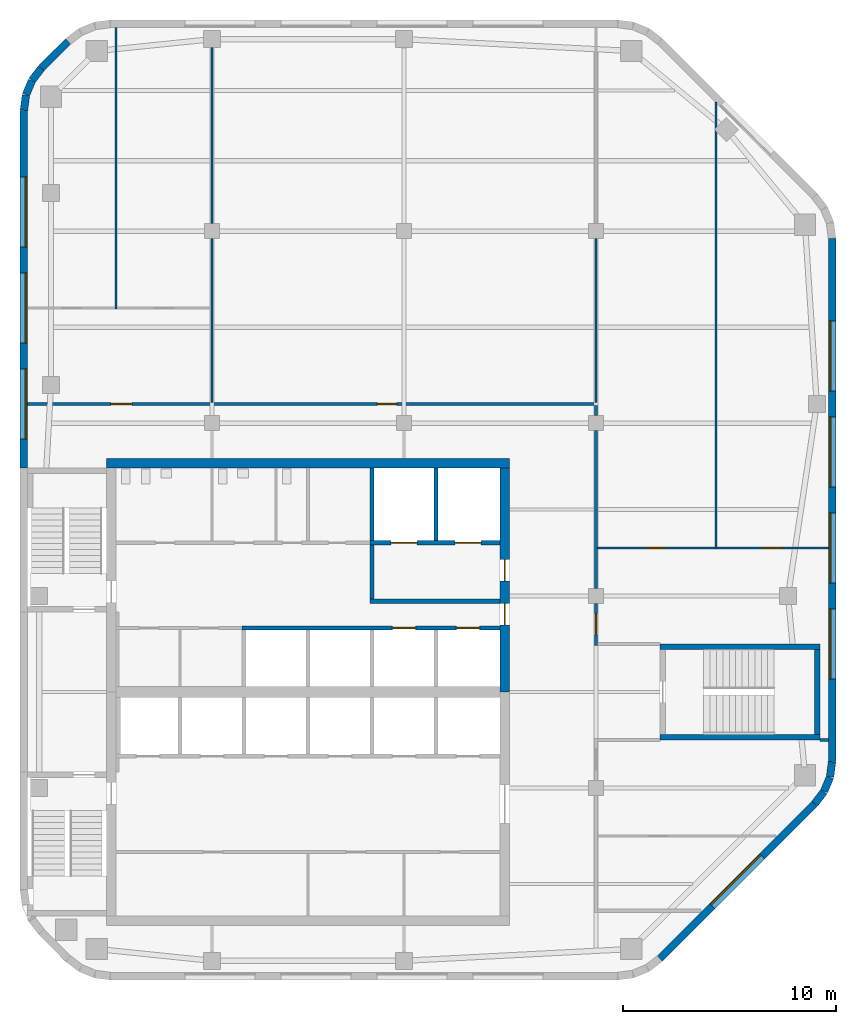
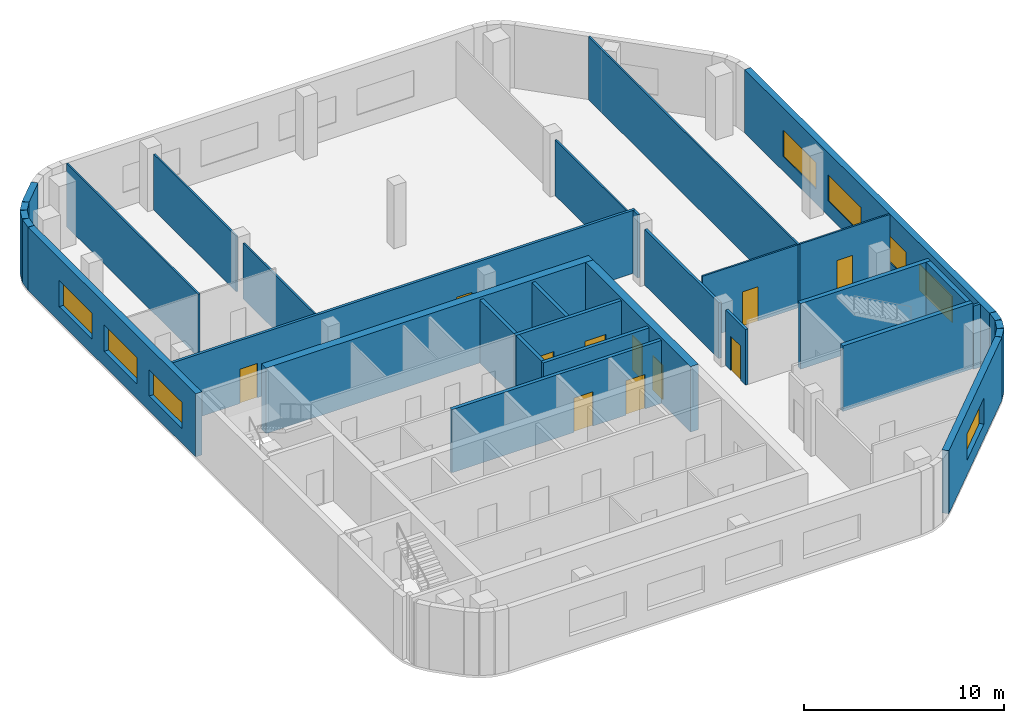
# One storey, part 4 of 7: 33 walls, 11 doors, 8 windows, 19 openings.
"""IFC4 building model written with IfcOpenShell, lengths in metres."""

from ifc_helpers import new_model, si_unit, direction, frame, frame_2d, origin, place, context, subcontext, project, spatial, rectangle, extrude, material, layer, layer_set, type_object, element, fill, save


model = new_model("IFC4")

# Units and contexts
model_context = context("Model", 3, precision=1e-05, world=origin(), true_north=direction((0.0, 1.0)))
body_context = subcontext(model_context, "Body", "Model", "MODEL_VIEW")
ifc_project = project(units=[si_unit("LENGTHUNIT", "METRE"), si_unit("AREAUNIT", "SQUARE_METRE"), si_unit("VOLUMEUNIT", "CUBIC_METRE"), si_unit("PLANEANGLEUNIT", "RADIAN"), si_unit("MASSUNIT", "GRAM", prefix="KILO")], contexts=[model_context])

# Site, building, storey
site_placement = place(None, origin())
site = spatial("IfcSite", under=ifc_project, at=site_placement, CompositionType="ELEMENT")
building_placement = place(site_placement, origin())
building = spatial("IfcBuilding", under=site, at=building_placement, Name="Cinnabar Reach Civic Tower", CompositionType="ELEMENT")
storey_placement = place(building_placement, frame((0.0, 0.0, 275.0)))
storey = spatial("IfcBuildingStorey", under=building, at=storey_placement, Name="L66", CompositionType="ELEMENT", Elevation=275.0)

# Walls
ifc_material_1 = material(Name="Facing brick with insulated backing", Category="masonry")
ifc_layer_1 = layer(ifc_material_1, 0.36)
ifc_layer_set_1 = layer_set([ifc_layer_1], Name="Brick corner wall")
wall_type_1 = type_object("IfcWallType", Name="Brick corner wall", PredefinedType="STANDARD", material=ifc_layer_set_1)
wall_1_placement = place(storey_placement, frame((37.2498, 26.2587, 0.0), z_axis=(0.0, 0.0, 1.0), x_axis=(0.608802368033, 0.793321924995, 0.0)))
element("IfcWall", 1, at=wall_1_placement, inside=storey, type_object=wall_type_1, Name="Brick corner wall", PredefinedType="STANDARD", context=body_context, shape_type="SweptSolid", body=[
    extrude(rectangle(XDim=0.7132, YDim=0.36, at=frame_2d((0.3566, 0.0))), origin(), (0.0, 0.0, 1.0), 3.85),
])
for number, where, z_axis, x_axis, name in (
    (2, (37.6952, 26.8439, 0.0), (0.0, 0.0, 1.0), (0.382702709855, 0.923871547278, 0.0), "Brick corner wall"),
    (3, (37.9739, 27.5244, 0.0), (0.0, 0.0, 1.0), (0.13055608231, 0.99144092581, 0.0), "Brick corner wall"),
):
    element("IfcWall", number, at=place(storey_placement, frame(where, z_axis=z_axis, x_axis=x_axis)), inside=storey, type_object=wall_type_1, Name=name, PredefinedType="STANDARD", context=body_context, shape_type="SweptSolid", body=[
        extrude(rectangle(XDim=0.7131, YDim=0.36, at=frame_2d((0.3565, 0.0))), origin(), (0.0, 0.0, 1.0), 3.85),
    ])
wall_2_placement = place(storey_placement, frame((1.0002, 60.7413, 0.0), z_axis=(0.0, 0.0, 1.0), x_axis=(-0.608802368033, -0.793321924995, 0.0)))
element("IfcWall", 4, at=wall_2_placement, inside=storey, type_object=wall_type_1, Name="Brick corner wall", PredefinedType="STANDARD", context=body_context, shape_type="SweptSolid", body=[
    extrude(rectangle(XDim=0.7132, YDim=0.36, at=frame_2d((0.3566, 0.0))), origin(), (0.0, 0.0, 1.0), 3.85),
])
for number, where, z_axis, x_axis, name in (
    (5, (0.5548, 60.1561, 0.0), (0.0, 0.0, 1.0), (-0.382702709855, -0.923871547278, 0.0), "Brick corner wall"),
    (6, (0.2761, 59.4756, 0.0), (0.0, 0.0, 1.0), (-0.13055608231, -0.99144092581, 0.0), "Brick corner wall"),
):
    element("IfcWall", number, at=place(storey_placement, frame(where, z_axis=z_axis, x_axis=x_axis)), inside=storey, type_object=wall_type_1, Name=name, PredefinedType="STANDARD", context=body_context, shape_type="SweptSolid", body=[
        extrude(rectangle(XDim=0.7131, YDim=0.36, at=frame_2d((0.3565, 0.0))), origin(), (0.0, 0.0, 1.0), 3.85),
    ])

# Wall, opening, window
ifc_layer_2 = layer(ifc_material_1, 0.36)
ifc_layer_set_2 = layer_set([ifc_layer_2], Name="Brick pier and spandrel wall")
wall_type_2 = type_object("IfcWallType", Name="Brick pier and spandrel wall", PredefinedType="STANDARD", material=ifc_layer_set_2)
wall_3_placement = place(storey_placement, frame((30.0014, 19.006, 0.0), z_axis=(0.0, 0.0, 1.0), x_axis=(0.707106781187, 0.707106781187, 0.0)))
wall_3 = element("IfcWall", 7, at=wall_3_placement, inside=storey, type_object=wall_type_2, Name="Brick facade wall", PredefinedType="STANDARD", context=body_context, shape_type="SweptSolid", body=[
    extrude(rectangle(XDim=10.2426, YDim=0.36, at=frame_2d((5.1213, 0.0))), origin(), (0.0, 0.0, 1.0), 3.85),
])
opening_1_placement = place(wall_3_placement, frame((3.4713, 0.0, 0.9)))
opening_1 = element("IfcOpeningElement", 8, at=opening_1_placement, cuts=wall_3, Name="Opening W2300", PredefinedType="OPENING", context=body_context, shape_type="SweptSolid", body=[
    extrude(rectangle(XDim=3.3, YDim=1.6, at=frame_2d((1.65, 0.8))), frame((0.0, 0.19, 0.0), z_axis=(0.0, -1.0, 0.0), x_axis=(1.0, 0.0, 0.0)), (0.0, 0.0, 1.0), 0.38),
])
ifc_material_2 = material(Name="Clear double glazing in aluminium frame", Category="aluminium")
window_type = type_object("IfcWindowType", Name="Deep-set window A", PartitioningType="SINGLE_PANEL", PredefinedType="WINDOW", material=ifc_material_2)
window_1_placement = place(opening_1_placement, origin())
window_1 = element("IfcWindow", 9, at=window_1_placement, inside=storey, type_object=window_type, Name="Window southeast face", OverallHeight=1.6, OverallWidth=3.3, PartitioningType="SINGLE_PANEL", PredefinedType="WINDOW", context=body_context, shape_type="SweptSolid", body=[
    extrude(rectangle(XDim=3.3, YDim=1.6, at=frame_2d((1.65, 0.8))), frame((0.0, 0.13, 0.0), z_axis=(0.0, -1.0, 0.0), x_axis=(1.0, 0.0, 0.0)), (0.0, 0.0, 1.0), 0.06),
])
fill(opening_1, window_1)

# Wall, openings, windows
wall_4_placement = place(storey_placement, frame((38.07, 28.2426, 0.0), z_axis=(0.0, 0.0, 1.0), x_axis=(0.0, 1.0, 0.0)))
wall_4 = element("IfcWall", 10, at=wall_4_placement, inside=storey, type_object=wall_type_2, Name="Brick facade wall", PredefinedType="STANDARD", context=body_context, shape_type="SweptSolid", body=[
    extrude(rectangle(XDim=24.5148, YDim=0.36, at=frame_2d((12.2574, 0.0))), origin(), (0.0, 0.0, 1.0), 3.85),
])
opening_2_placement = place(wall_4_placement, frame((3.8574, 0.0, 0.9)))
opening_2 = element("IfcOpeningElement", 11, at=opening_2_placement, cuts=wall_4, Name="Opening W2301", PredefinedType="OPENING", context=body_context, shape_type="SweptSolid", body=[
    extrude(rectangle(XDim=3.3, YDim=1.6, at=frame_2d((1.65, 0.8))), frame((0.0, 0.19, 0.0), z_axis=(0.0, -1.0, 0.0), x_axis=(1.0, 0.0, 0.0)), (0.0, 0.0, 1.0), 0.38),
])
opening_3_placement = place(wall_4_placement, frame((8.3574, 0.0, 0.9)))
opening_3 = element("IfcOpeningElement", 12, at=opening_3_placement, cuts=wall_4, Name="Opening W2302", PredefinedType="OPENING", context=body_context, shape_type="SweptSolid", body=[
    extrude(rectangle(XDim=3.3, YDim=1.6, at=frame_2d((1.65, 0.8))), frame((0.0, 0.19, 0.0), z_axis=(0.0, -1.0, 0.0), x_axis=(1.0, 0.0, 0.0)), (0.0, 0.0, 1.0), 0.38),
])
opening_4_placement = place(wall_4_placement, frame((12.8574, 0.0, 0.9)))
opening_4 = element("IfcOpeningElement", 13, at=opening_4_placement, cuts=wall_4, Name="Opening W2303", PredefinedType="OPENING", context=body_context, shape_type="SweptSolid", body=[
    extrude(rectangle(XDim=3.3, YDim=1.6, at=frame_2d((1.65, 0.8))), frame((0.0, 0.19, 0.0), z_axis=(0.0, -1.0, 0.0), x_axis=(1.0, 0.0, 0.0)), (0.0, 0.0, 1.0), 0.38),
])
opening_5_placement = place(wall_4_placement, frame((17.3574, 0.0, 0.9)))
opening_5 = element("IfcOpeningElement", 14, at=opening_5_placement, cuts=wall_4, Name="Opening W2304", PredefinedType="OPENING", context=body_context, shape_type="SweptSolid", body=[
    extrude(rectangle(XDim=3.3, YDim=1.6, at=frame_2d((1.65, 0.8))), frame((0.0, 0.19, 0.0), z_axis=(0.0, -1.0, 0.0), x_axis=(1.0, 0.0, 0.0)), (0.0, 0.0, 1.0), 0.38),
])
window_2_placement = place(opening_2_placement, origin())
window_2 = element("IfcWindow", 15, at=window_2_placement, inside=storey, type_object=window_type, Name="Window east face", OverallHeight=1.6, OverallWidth=3.3, PartitioningType="SINGLE_PANEL", PredefinedType="WINDOW", context=body_context, shape_type="SweptSolid", body=[
    extrude(rectangle(XDim=3.3, YDim=1.6, at=frame_2d((1.65, 0.8))), frame((0.0, 0.13, 0.0), z_axis=(0.0, -1.0, 0.0), x_axis=(1.0, 0.0, 0.0)), (0.0, 0.0, 1.0), 0.06),
])
fill(opening_2, window_2)
window_3_placement = place(opening_3_placement, origin())
window_3 = element("IfcWindow", 16, at=window_3_placement, inside=storey, type_object=window_type, Name="Window east face", OverallHeight=1.6, OverallWidth=3.3, PartitioningType="SINGLE_PANEL", PredefinedType="WINDOW", context=body_context, shape_type="SweptSolid", body=[
    extrude(rectangle(XDim=3.3, YDim=1.6, at=frame_2d((1.65, 0.8))), frame((0.0, 0.13, 0.0), z_axis=(0.0, -1.0, 0.0), x_axis=(1.0, 0.0, 0.0)), (0.0, 0.0, 1.0), 0.06),
])
fill(opening_3, window_3)
window_4_placement = place(opening_4_placement, origin())
window_4 = element("IfcWindow", 17, at=window_4_placement, inside=storey, type_object=window_type, Name="Window east face", OverallHeight=1.6, OverallWidth=3.3, PartitioningType="SINGLE_PANEL", PredefinedType="WINDOW", context=body_context, shape_type="SweptSolid", body=[
    extrude(rectangle(XDim=3.3, YDim=1.6, at=frame_2d((1.65, 0.8))), frame((0.0, 0.13, 0.0), z_axis=(0.0, -1.0, 0.0), x_axis=(1.0, 0.0, 0.0)), (0.0, 0.0, 1.0), 0.06),
])
fill(opening_4, window_4)
window_5_placement = place(opening_5_placement, origin())
window_5 = element("IfcWindow", 18, at=window_5_placement, inside=storey, type_object=window_type, Name="Window east face", OverallHeight=1.6, OverallWidth=3.3, PartitioningType="SINGLE_PANEL", PredefinedType="WINDOW", context=body_context, shape_type="SweptSolid", body=[
    extrude(rectangle(XDim=3.3, YDim=1.6, at=frame_2d((1.65, 0.8))), frame((0.0, 0.13, 0.0), z_axis=(0.0, -1.0, 0.0), x_axis=(1.0, 0.0, 0.0)), (0.0, 0.0, 1.0), 0.06),
])
fill(opening_5, window_5)

# Wall
wall_5_placement = place(storey_placement, frame((2.2486, 61.994, 0.0), z_axis=(0.0, 0.0, 1.0), x_axis=(-0.707106781187, -0.707106781187, 0.0)))
element("IfcWall", 19, at=wall_5_placement, inside=storey, type_object=wall_type_2, Name="Brick facade wall", PredefinedType="STANDARD", context=body_context, shape_type="SweptSolid", body=[
    extrude(rectangle(XDim=1.7573, YDim=0.36, at=frame_2d((0.8787, 0.0))), origin(), (0.0, 0.0, 1.0), 3.85),
])

# Wall, openings, windows
wall_6_placement = place(storey_placement, frame((0.18, 58.7574, 0.0), z_axis=(0.0, 0.0, 1.0), x_axis=(0.0, -1.0, 0.0)))
wall_6 = element("IfcWall", 20, at=wall_6_placement, inside=storey, type_object=wall_type_2, Name="Brick facade wall", PredefinedType="STANDARD", context=body_context, shape_type="SweptSolid", body=[
    extrude(rectangle(XDim=16.7574, YDim=0.36, at=frame_2d((8.3787, 0.0))), origin(), (0.0, 0.0, 1.0), 3.85),
])
opening_6_placement = place(wall_6_placement, frame((3.1074, 0.0, 0.9)))
opening_6 = element("IfcOpeningElement", 21, at=opening_6_placement, cuts=wall_6, Name="Opening W2310", PredefinedType="OPENING", context=body_context, shape_type="SweptSolid", body=[
    extrude(rectangle(XDim=3.3, YDim=1.6, at=frame_2d((1.65, 0.8))), frame((0.0, 0.19, 0.0), z_axis=(0.0, -1.0, 0.0), x_axis=(1.0, 0.0, 0.0)), (0.0, 0.0, 1.0), 0.38),
])
opening_7_placement = place(wall_6_placement, frame((7.6074, 0.0, 0.9)))
opening_7 = element("IfcOpeningElement", 22, at=opening_7_placement, cuts=wall_6, Name="Opening W2311", PredefinedType="OPENING", context=body_context, shape_type="SweptSolid", body=[
    extrude(rectangle(XDim=3.3, YDim=1.6, at=frame_2d((1.65, 0.8))), frame((0.0, 0.19, 0.0), z_axis=(0.0, -1.0, 0.0), x_axis=(1.0, 0.0, 0.0)), (0.0, 0.0, 1.0), 0.38),
])
opening_8_placement = place(wall_6_placement, frame((12.1074, 0.0, 0.9)))
opening_8 = element("IfcOpeningElement", 23, at=opening_8_placement, cuts=wall_6, Name="Opening W2312", PredefinedType="OPENING", context=body_context, shape_type="SweptSolid", body=[
    extrude(rectangle(XDim=3.3, YDim=1.6, at=frame_2d((1.65, 0.8))), frame((0.0, 0.19, 0.0), z_axis=(0.0, -1.0, 0.0), x_axis=(1.0, 0.0, 0.0)), (0.0, 0.0, 1.0), 0.38),
])
window_6_placement = place(opening_6_placement, origin())
window_6 = element("IfcWindow", 24, at=window_6_placement, inside=storey, type_object=window_type, Name="Window west face", OverallHeight=1.6, OverallWidth=3.3, PartitioningType="SINGLE_PANEL", PredefinedType="WINDOW", context=body_context, shape_type="SweptSolid", body=[
    extrude(rectangle(XDim=3.3, YDim=1.6, at=frame_2d((1.65, 0.8))), frame((0.0, 0.13, 0.0), z_axis=(0.0, -1.0, 0.0), x_axis=(1.0, 0.0, 0.0)), (0.0, 0.0, 1.0), 0.06),
])
fill(opening_6, window_6)
window_7_placement = place(opening_7_placement, origin())
window_7 = element("IfcWindow", 25, at=window_7_placement, inside=storey, type_object=window_type, Name="Window west face", OverallHeight=1.6, OverallWidth=3.3, PartitioningType="SINGLE_PANEL", PredefinedType="WINDOW", context=body_context, shape_type="SweptSolid", body=[
    extrude(rectangle(XDim=3.3, YDim=1.6, at=frame_2d((1.65, 0.8))), frame((0.0, 0.13, 0.0), z_axis=(0.0, -1.0, 0.0), x_axis=(1.0, 0.0, 0.0)), (0.0, 0.0, 1.0), 0.06),
])
fill(opening_7, window_7)
window_8_placement = place(opening_8_placement, origin())
window_8 = element("IfcWindow", 26, at=window_8_placement, inside=storey, type_object=window_type, Name="Window west face", OverallHeight=1.6, OverallWidth=3.3, PartitioningType="SINGLE_PANEL", PredefinedType="WINDOW", context=body_context, shape_type="SweptSolid", body=[
    extrude(rectangle(XDim=3.3, YDim=1.6, at=frame_2d((1.65, 0.8))), frame((0.0, 0.13, 0.0), z_axis=(0.0, -1.0, 0.0), x_axis=(1.0, 0.0, 0.0)), (0.0, 0.0, 1.0), 0.06),
])
fill(opening_8, window_8)

# Wall
ifc_material_3 = material(Name="Concrete C60", Category="concrete")
ifc_layer_3 = layer(ifc_material_3, 0.45)
ifc_layer_set_3 = layer_set([ifc_layer_3], Name="Core wall 450 EI 180")
wall_type_3 = type_object("IfcWallType", Name="Core wall 450 EI 180", PredefinedType="SOLIDWALL", material=ifc_layer_set_3)
wall_7_placement = place(storey_placement, frame((22.95, 42.225, 0.0), z_axis=(0.0, 0.0, 1.0), x_axis=(-1.0, 0.0, 0.0)))
element("IfcWall", 27, at=wall_7_placement, inside=storey, type_object=wall_type_3, Name="Core wall T1 L66 N", PredefinedType="SOLIDWALL", context=body_context, shape_type="SweptSolid", body=[
    extrude(rectangle(XDim=18.9, YDim=0.45, at=frame_2d((9.45, 0.0))), origin(), (0.0, 0.0, 1.0), 4.0),
])

# Wall, openings, doors
wall_8_placement = place(storey_placement, frame((22.725, 31.5, 0.0), z_axis=(0.0, 0.0, 1.0), x_axis=(0.0, 1.0, 0.0)))
wall_8 = element("IfcWall", 28, at=wall_8_placement, inside=storey, type_object=wall_type_3, Name="Core wall T1 L66 E2", PredefinedType="SOLIDWALL", context=body_context, shape_type="SweptSolid", body=[
    extrude(rectangle(XDim=10.5, YDim=0.45, at=frame_2d((5.25, 0.0))), origin(), (0.0, 0.0, 1.0), 4.0),
])
opening_9_placement = place(wall_8_placement, frame((3.15, 0.0, 0.0)))
opening_9 = element("IfcOpeningElement", 29, at=opening_9_placement, cuts=wall_8, Name="Opening D5635", PredefinedType="OPENING", context=body_context, shape_type="SweptSolid", body=[
    extrude(rectangle(XDim=1.0, YDim=2.1, at=frame_2d((0.5, 1.05))), frame((0.0, 0.235, 0.0), z_axis=(0.0, -1.0, 0.0), x_axis=(1.0, 0.0, 0.0)), (0.0, 0.0, 1.0), 0.47),
])
opening_10_placement = place(wall_8_placement, frame((5.2, 0.0, 0.0)))
opening_10 = element("IfcOpeningElement", 30, at=opening_10_placement, cuts=wall_8, Name="Opening D5636", PredefinedType="OPENING", context=body_context, shape_type="SweptSolid", body=[
    extrude(rectangle(XDim=1.0, YDim=2.1, at=frame_2d((0.5, 1.05))), frame((0.0, 0.235, 0.0), z_axis=(0.0, -1.0, 0.0), x_axis=(1.0, 0.0, 0.0)), (0.0, 0.0, 1.0), 0.47),
])
ifc_material_4 = material(Name="Timber door leaf in steel frame", Category="steel")
door_type_1 = type_object("IfcDoorType", Name="Firefighting lobby door 1000 x 2100 T1", OperationType="SINGLE_SWING_LEFT", PredefinedType="DOOR", material=ifc_material_4)
door_1_placement = place(opening_10_placement, origin())
door_1 = element("IfcDoor", 31, at=door_1_placement, inside=storey, type_object=door_type_1, Name="Door D5636", OperationType="SINGLE_SWING_LEFT", OverallHeight=2.1, OverallWidth=1.0, PredefinedType="DOOR", context=body_context, shape_type="SweptSolid", body=[
    extrude(rectangle(XDim=1.0, YDim=2.1, at=frame_2d((0.5, 1.05))), frame((0.0, 0.025, 0.0), z_axis=(0.0, -1.0, 0.0), x_axis=(1.0, 0.0, 0.0)), (0.0, 0.0, 1.0), 0.05),
])
fill(opening_10, door_1)
door_type_2 = type_object("IfcDoorType", Name="Single swing door 1000 x 2100 T1", OperationType="SINGLE_SWING_LEFT", PredefinedType="DOOR", material=ifc_material_4)
door_2_placement = place(opening_9_placement, origin())
door_2 = element("IfcDoor", 32, at=door_2_placement, inside=storey, type_object=door_type_2, Name="Door D5635", OperationType="SINGLE_SWING_RIGHT", OverallHeight=2.1, OverallWidth=1.0, PredefinedType="DOOR", context=body_context, shape_type="SweptSolid", body=[
    extrude(rectangle(XDim=1.0, YDim=2.1, at=frame_2d((0.5, 1.05))), frame((0.0, 0.025, 0.0), z_axis=(0.0, -1.0, 0.0), x_axis=(1.0, 0.0, 0.0)), (0.0, 0.0, 1.0), 0.05),
])
fill(opening_9, door_2)

ifc_material_5 = material(Name="Gypsum board on steel studs, double layer", Category="steel")
ifc_layer_4 = layer(ifc_material_5, 0.15)
ifc_layer_set_4 = layer_set([ifc_layer_4], Name="Corridor wall 150 T1")
wall_type_4 = type_object("IfcWallType", Name="Corridor wall 150 T1", PredefinedType="PARTITIONING", material=ifc_layer_set_4)
wall_9_placement = place(storey_placement, frame((0.36, 45.0, 0.0), z_axis=(0.0, 0.0, 1.0), x_axis=(1.0, 0.0, 0.0)))
wall_9 = element("IfcWall", 33, at=wall_9_placement, inside=storey, type_object=wall_type_4, Name="Corridor wall 18", PredefinedType="PARTITIONING", context=body_context, shape_type="SweptSolid", body=[
    extrude(rectangle(XDim=26.715, YDim=0.15, at=frame_2d((13.3575, 0.0))), origin(), (0.0, 0.0, 1.0), 3.85),
])
opening_11_placement = place(wall_9_placement, frame((3.9, 0.0, 0.0)))
opening_11 = element("IfcOpeningElement", 34, at=opening_11_placement, cuts=wall_9, Name="Opening D5652", PredefinedType="OPENING", context=body_context, shape_type="SweptSolid", body=[
    extrude(rectangle(XDim=1.0, YDim=2.1, at=frame_2d((0.5, 1.05))), frame((0.0, 0.085, 0.0), z_axis=(0.0, -1.0, 0.0), x_axis=(1.0, 0.0, 0.0)), (0.0, 0.0, 1.0), 0.17),
])
opening_12_placement = place(wall_9_placement, frame((16.39, 0.0, 0.0)))
opening_12 = element("IfcOpeningElement", 35, at=opening_12_placement, cuts=wall_9, Name="Opening D5655", PredefinedType="OPENING", context=body_context, shape_type="SweptSolid", body=[
    extrude(rectangle(XDim=0.9, YDim=2.1, at=frame_2d((0.45, 1.05))), frame((0.0, 0.085, 0.0), z_axis=(0.0, -1.0, 0.0), x_axis=(1.0, 0.0, 0.0)), (0.0, 0.0, 1.0), 0.17),
])
door_type_3 = type_object("IfcDoorType", Name="Single swing door 900 x 2100 corridor T1", OperationType="SINGLE_SWING_LEFT", PredefinedType="DOOR", material=ifc_material_4)
door_3_placement = place(opening_12_placement, origin())
door_3 = element("IfcDoor", 36, at=door_3_placement, inside=storey, type_object=door_type_3, Name="Door D5655", OperationType="SINGLE_SWING_LEFT", OverallHeight=2.1, OverallWidth=0.9, PredefinedType="DOOR", context=body_context, shape_type="SweptSolid", body=[
    extrude(rectangle(XDim=0.9, YDim=2.1, at=frame_2d((0.45, 1.05))), frame((0.0, 0.025, 0.0), z_axis=(0.0, -1.0, 0.0), x_axis=(1.0, 0.0, 0.0)), (0.0, 0.0, 1.0), 0.05),
])
fill(opening_12, door_3)
door_type_4 = type_object("IfcDoorType", Name="Tenancy entrance door 1000 x 2100 T1", OperationType="SINGLE_SWING_LEFT", PredefinedType="DOOR", material=ifc_material_4)
door_4_placement = place(opening_11_placement, origin())
door_4 = element("IfcDoor", 37, at=door_4_placement, inside=storey, type_object=door_type_4, Name="Door D5652", OperationType="SINGLE_SWING_LEFT", OverallHeight=2.1, OverallWidth=1.0, PredefinedType="DOOR", context=body_context, shape_type="SweptSolid", body=[
    extrude(rectangle(XDim=1.0, YDim=2.1, at=frame_2d((0.5, 1.05))), frame((0.0, 0.025, 0.0), z_axis=(0.0, -1.0, 0.0), x_axis=(1.0, 0.0, 0.0)), (0.0, 0.0, 1.0), 0.05),
])
fill(opening_11, door_4)

# Wall, opening, door
wall_10_placement = place(storey_placement, frame((27.0, 33.675, 0.0), z_axis=(0.0, 0.0, 1.0), x_axis=(0.0, 1.0, 0.0)))
wall_10 = element("IfcWall", 38, at=wall_10_placement, inside=storey, type_object=wall_type_4, Name="Corridor wall 21", PredefinedType="PARTITIONING", context=body_context, shape_type="SweptSolid", body=[
    extrude(rectangle(XDim=1.975, YDim=0.15, at=frame_2d((0.9875, 0.0))), origin(), (0.0, 0.0, 1.0), 3.4),
])
opening_13_placement = place(wall_10_placement, frame((0.5, 0.0, 0.0)))
opening_13 = element("IfcOpeningElement", 39, at=opening_13_placement, cuts=wall_10, Name="Opening D5647", PredefinedType="OPENING", context=body_context, shape_type="SweptSolid", body=[
    extrude(rectangle(XDim=1.0, YDim=2.1, at=frame_2d((0.5, 1.05))), frame((0.0, 0.085, 0.0), z_axis=(0.0, -1.0, 0.0), x_axis=(1.0, 0.0, 0.0)), (0.0, 0.0, 1.0), 0.17),
])
door_5_placement = place(opening_13_placement, frame((1.0, 0.0, 0.0), z_axis=(0.0, 0.0, 1.0), x_axis=(-1.0, 0.0, 0.0)))
door_5 = element("IfcDoor", 40, at=door_5_placement, inside=storey, type_object=door_type_4, Name="Door D5647", OperationType="SINGLE_SWING_RIGHT", OverallHeight=2.1, OverallWidth=1.0, PredefinedType="DOOR", context=body_context, shape_type="SweptSolid", body=[
    extrude(rectangle(XDim=1.0, YDim=2.1, at=frame_2d((0.5, 1.05))), frame((0.0, 0.025, 0.0), z_axis=(0.0, -1.0, 0.0), x_axis=(1.0, 0.0, 0.0)), (0.0, 0.0, 1.0), 0.05),
])
fill(opening_13, door_5)

# Walls
wall_11_placement = place(storey_placement, frame((27.0, 36.35, 0.0), z_axis=(0.0, 0.0, 1.0), x_axis=(0.0, 1.0, 0.0)))
element("IfcWall", 41, at=wall_11_placement, inside=storey, type_object=wall_type_4, Name="Corridor wall 22", PredefinedType="PARTITIONING", context=body_context, shape_type="SweptSolid", body=[
    extrude(rectangle(XDim=7.4, YDim=0.15, at=frame_2d((3.7, 0.0))), origin(), (0.0, 0.0, 1.0), 3.4),
])
wall_12_placement = place(storey_placement, frame((27.0, 44.45, 0.0), z_axis=(0.0, 0.0, 1.0), x_axis=(0.0, 1.0, 0.0)))
element("IfcWall", 42, at=wall_12_placement, inside=storey, type_object=wall_type_4, Name="Corridor wall 23", PredefinedType="PARTITIONING", context=body_context, shape_type="SweptSolid", body=[
    extrude(rectangle(XDim=0.475, YDim=0.15, at=frame_2d((0.2375, 0.0))), origin(), (0.0, 0.0, 1.0), 3.85),
])

# Wall, openings, doors
ifc_material_6 = material(Name="Blockwork", Category="masonry")
ifc_layer_5 = layer(ifc_material_6, 0.2)
ifc_layer_set_5 = layer_set([ifc_layer_5], Name="Lift shaft wall 200 T1")
wall_type_5 = type_object("IfcWallType", Name="Lift shaft wall 200 T1", PredefinedType="PARTITIONING", material=ifc_layer_set_5)
wall_13_placement = place(storey_placement, frame((10.4, 34.5, 0.0), z_axis=(0.0, 0.0, 1.0), x_axis=(1.0, 0.0, 0.0)))
wall_13 = element("IfcWall", 43, at=wall_13_placement, inside=storey, type_object=wall_type_5, Name="Lift shaft wall 5", PredefinedType="PARTITIONING", context=body_context, shape_type="SweptSolid", body=[
    extrude(rectangle(XDim=12.1, YDim=0.2, at=frame_2d((6.05, 0.0))), origin(), (0.0, 0.0, 1.0), 3.85),
])
opening_14_placement = place(wall_13_placement, frame((7.05, 0.0, 0.0)))
opening_14 = element("IfcOpeningElement", 44, at=opening_14_placement, cuts=wall_13, Name="Opening D5630", PredefinedType="OPENING", context=body_context, shape_type="SweptSolid", body=[
    extrude(rectangle(XDim=1.1, YDim=2.1, at=frame_2d((0.55, 1.05))), frame((0.0, 0.11, 0.0), z_axis=(0.0, -1.0, 0.0), x_axis=(1.0, 0.0, 0.0)), (0.0, 0.0, 1.0), 0.22),
])
opening_15_placement = place(wall_13_placement, frame((10.05, 0.0, 0.0)))
opening_15 = element("IfcOpeningElement", 45, at=opening_15_placement, cuts=wall_13, Name="Opening D5631", PredefinedType="OPENING", context=body_context, shape_type="SweptSolid", body=[
    extrude(rectangle(XDim=1.1, YDim=2.1, at=frame_2d((0.55, 1.05))), frame((0.0, 0.11, 0.0), z_axis=(0.0, -1.0, 0.0), x_axis=(1.0, 0.0, 0.0)), (0.0, 0.0, 1.0), 0.22),
])
ifc_material_7 = material(Name="Stainless steel sliding door", Category="steel")
door_type_5 = type_object("IfcDoorType", Name="Lift landing door 1100 x 2100 T1", OperationType="SLIDING_TO_LEFT", PredefinedType="DOOR", material=ifc_material_7)
door_6_placement = place(opening_14_placement, origin())
door_6 = element("IfcDoor", 46, at=door_6_placement, inside=storey, type_object=door_type_5, Name="Lift landing door SV1 L66", OperationType="SLIDING_TO_LEFT", OverallHeight=2.1, OverallWidth=1.1, PredefinedType="DOOR", context=body_context, shape_type="SweptSolid", body=[
    extrude(rectangle(XDim=1.1, YDim=2.1, at=frame_2d((0.55, 1.05))), frame((0.0, 0.025, 0.0), z_axis=(0.0, -1.0, 0.0), x_axis=(1.0, 0.0, 0.0)), (0.0, 0.0, 1.0), 0.05),
])
fill(opening_14, door_6)
door_7_placement = place(opening_15_placement, origin())
door_7 = element("IfcDoor", 47, at=door_7_placement, inside=storey, type_object=door_type_5, Name="Lift landing door SV2 L66", OperationType="SLIDING_TO_LEFT", OverallHeight=2.1, OverallWidth=1.1, PredefinedType="DOOR", context=body_context, shape_type="SweptSolid", body=[
    extrude(rectangle(XDim=1.1, YDim=2.1, at=frame_2d((0.55, 1.05))), frame((0.0, 0.025, 0.0), z_axis=(0.0, -1.0, 0.0), x_axis=(1.0, 0.0, 0.0)), (0.0, 0.0, 1.0), 0.05),
])
fill(opening_15, door_7)

# Walls
for number, where, z_axis, x_axis, name in (
    (48, (16.5, 38.6, 0.0), (0.0, 0.0, 1.0), (0.0, 1.0, 0.0), "Lift shaft wall 14"),
    (49, (19.5, 38.6, 0.0), (0.0, 0.0, 1.0), (0.0, 1.0, 0.0), "Lift shaft wall 15"),
):
    element("IfcWall", number, at=place(storey_placement, frame(where, z_axis=z_axis, x_axis=x_axis)), inside=storey, type_object=wall_type_5, Name=name, PredefinedType="PARTITIONING", context=body_context, shape_type="SweptSolid", body=[
        extrude(rectangle(XDim=3.4, YDim=0.2, at=frame_2d((1.7, 0.0))), origin(), (0.0, 0.0, 1.0), 3.85),
    ])
ifc_material_8 = material(Name="Gypsum board on steel studs", Category="steel")
ifc_layer_6 = layer(ifc_material_8, 0.1)
ifc_layer_set_6 = layer_set([ifc_layer_6], Name="Partition wall 100 T1")
wall_type_6 = type_object("IfcWallType", Name="Partition wall 100 T1", PredefinedType="PARTITIONING", material=ifc_layer_set_6)
wall_14_placement = place(storey_placement, frame((32.625, 38.2, 0.0), z_axis=(0.0, 0.0, 1.0), x_axis=(0.0, 1.0, 0.0)))
element("IfcWall", 50, at=wall_14_placement, inside=storey, type_object=wall_type_6, Name="Partition wall 35", PredefinedType="PARTITIONING", context=body_context, shape_type="SweptSolid", body=[
    extrude(rectangle(XDim=20.9659, YDim=0.1, at=frame_2d((10.483, 0.0))), origin(), (0.0, 0.0, 1.0), 3.85),
])
wall_15_placement = place(storey_placement, frame((9.0, 45.075, 0.0), z_axis=(0.0, 0.0, 1.0), x_axis=(0.0, 1.0, 0.0)))
element("IfcWall", 51, at=wall_15_placement, inside=storey, type_object=wall_type_6, Name="Partition wall 36", PredefinedType="PARTITIONING", context=body_context, shape_type="SweptSolid", body=[
    extrude(rectangle(XDim=7.675, YDim=0.1, at=frame_2d((3.8375, 0.0))), origin(), (0.0, 0.0, 1.0), 3.4),
])
wall_16_placement = place(storey_placement, frame((9.0, 53.45, 0.0), z_axis=(0.0, 0.0, 1.0), x_axis=(0.0, 1.0, 0.0)))
element("IfcWall", 52, at=wall_16_placement, inside=storey, type_object=wall_type_6, Name="Partition wall 37", PredefinedType="PARTITIONING", context=body_context, shape_type="SweptSolid", body=[
    extrude(rectangle(XDim=8.25, YDim=0.1, at=frame_2d((4.125, 0.0))), origin(), (0.0, 0.0, 1.0), 3.4),
])
wall_17_placement = place(storey_placement, frame((27.0, 45.075, 0.0), z_axis=(0.0, 0.0, 1.0), x_axis=(0.0, 1.0, 0.0)))
element("IfcWall", 53, at=wall_17_placement, inside=storey, type_object=wall_type_6, Name="Partition wall 38", PredefinedType="PARTITIONING", context=body_context, shape_type="SweptSolid", body=[
    extrude(rectangle(XDim=7.675, YDim=0.1, at=frame_2d((3.8375, 0.0))), origin(), (0.0, 0.0, 1.0), 3.4),
])
wall_18_placement = place(storey_placement, frame((4.5, 49.45, 0.0), z_axis=(0.0, 0.0, 1.0), x_axis=(0.0, 1.0, 0.0)))
element("IfcWall", 54, at=wall_18_placement, inside=storey, type_object=wall_type_6, Name="Partition wall 40", PredefinedType="PARTITIONING", context=body_context, shape_type="SweptSolid", body=[
    extrude(rectangle(XDim=13.19, YDim=0.1, at=frame_2d((6.595, 0.0))), origin(), (0.0, 0.0, 1.0), 3.85),
])

# Wall, opening, door
wall_19_placement = place(storey_placement, frame((27.075, 38.25, 0.0), z_axis=(0.0, 0.0, 1.0), x_axis=(1.0, 0.0, 0.0)))
wall_19 = element("IfcWall", 55, at=wall_19_placement, inside=storey, type_object=wall_type_6, Name="Partition wall 41", PredefinedType="PARTITIONING", context=body_context, shape_type="SweptSolid", body=[
    extrude(rectangle(XDim=5.5, YDim=0.1, at=frame_2d((2.75, 0.0))), origin(), (0.0, 0.0, 1.0), 3.85),
])
opening_16_placement = place(wall_19_placement, frame((2.3, 0.0, 0.0)))
opening_16 = element("IfcOpeningElement", 56, at=opening_16_placement, cuts=wall_19, Name="Opening D5648", PredefinedType="OPENING", context=body_context, shape_type="SweptSolid", body=[
    extrude(rectangle(XDim=0.9, YDim=2.1, at=frame_2d((0.45, 1.05))), frame((0.0, 0.06, 0.0), z_axis=(0.0, -1.0, 0.0), x_axis=(1.0, 0.0, 0.0)), (0.0, 0.0, 1.0), 0.12),
])
door_type_6 = type_object("IfcDoorType", Name="Single swing door 900 x 2100 T1", OperationType="SINGLE_SWING_LEFT", PredefinedType="DOOR", material=ifc_material_4)
door_8_placement = place(opening_16_placement, frame((0.9, 0.0, 0.0), z_axis=(0.0, 0.0, 1.0), x_axis=(-1.0, 0.0, 0.0)))
door_8 = element("IfcDoor", 57, at=door_8_placement, inside=storey, type_object=door_type_6, Name="Door D5648", OperationType="SINGLE_SWING_LEFT", OverallHeight=2.1, OverallWidth=0.9, PredefinedType="DOOR", context=body_context, shape_type="SweptSolid", body=[
    extrude(rectangle(XDim=0.9, YDim=2.1, at=frame_2d((0.45, 1.05))), frame((0.0, 0.025, 0.0), z_axis=(0.0, -1.0, 0.0), x_axis=(1.0, 0.0, 0.0)), (0.0, 0.0, 1.0), 0.05),
])
fill(opening_16, door_8)

wall_20_placement = place(storey_placement, frame((32.675, 38.25, 0.0), z_axis=(0.0, 0.0, 1.0), x_axis=(1.0, 0.0, 0.0)))
wall_20 = element("IfcWall", 58, at=wall_20_placement, inside=storey, type_object=wall_type_6, Name="Partition wall 42", PredefinedType="PARTITIONING", context=body_context, shape_type="SweptSolid", body=[
    extrude(rectangle(XDim=5.215, YDim=0.1, at=frame_2d((2.6075, 0.0))), origin(), (0.0, 0.0, 1.0), 3.85),
])
opening_17_placement = place(wall_20_placement, frame((2.15, 0.0, 0.0)))
opening_17 = element("IfcOpeningElement", 59, at=opening_17_placement, cuts=wall_20, Name="Opening D5649", PredefinedType="OPENING", context=body_context, shape_type="SweptSolid", body=[
    extrude(rectangle(XDim=0.9, YDim=2.1, at=frame_2d((0.45, 1.05))), frame((0.0, 0.06, 0.0), z_axis=(0.0, -1.0, 0.0), x_axis=(1.0, 0.0, 0.0)), (0.0, 0.0, 1.0), 0.12),
])
door_9_placement = place(opening_17_placement, frame((0.9, 0.0, 0.0), z_axis=(0.0, 0.0, 1.0), x_axis=(-1.0, 0.0, 0.0)))
door_9 = element("IfcDoor", 60, at=door_9_placement, inside=storey, type_object=door_type_6, Name="Door D5649", OperationType="SINGLE_SWING_LEFT", OverallHeight=2.1, OverallWidth=0.9, PredefinedType="DOOR", context=body_context, shape_type="SweptSolid", body=[
    extrude(rectangle(XDim=0.9, YDim=2.1, at=frame_2d((0.45, 1.05))), frame((0.0, 0.025, 0.0), z_axis=(0.0, -1.0, 0.0), x_axis=(1.0, 0.0, 0.0)), (0.0, 0.0, 1.0), 0.05),
])
fill(opening_17, door_9)

# Wall
ifc_material_9 = material(Name="Concrete C40", Category="concrete")
ifc_layer_7 = layer(ifc_material_9, 0.2)
ifc_layer_set_7 = layer_set([ifc_layer_7], Name="Refuge compartment wall 200 T1")
wall_type_7 = type_object("IfcWallType", Name="Refuge compartment wall 200 T1", PredefinedType="PARTITIONING", material=ifc_layer_set_7)
wall_21_placement = place(storey_placement, frame((16.4, 35.75, 0.0), z_axis=(0.0, 0.0, 1.0), x_axis=(1.0, 0.0, 0.0)))
element("IfcWall", 61, at=wall_21_placement, inside=storey, type_object=wall_type_7, Name="Refuge compartment wall 1", PredefinedType="PARTITIONING", context=body_context, shape_type="SweptSolid", body=[
    extrude(rectangle(XDim=6.1, YDim=0.2, at=frame_2d((3.05, 0.0))), origin(), (0.0, 0.0, 1.0), 3.85),
])

# Wall, openings, doors
wall_22_placement = place(storey_placement, frame((16.4, 38.5, 0.0), z_axis=(0.0, 0.0, 1.0), x_axis=(1.0, 0.0, 0.0)))
wall_22 = element("IfcWall", 62, at=wall_22_placement, inside=storey, type_object=wall_type_7, Name="Refuge compartment wall 2", PredefinedType="PARTITIONING", context=body_context, shape_type="SweptSolid", body=[
    extrude(rectangle(XDim=6.1, YDim=0.2, at=frame_2d((3.05, 0.0))), origin(), (0.0, 0.0, 1.0), 3.85),
])
opening_18_placement = place(wall_22_placement, frame((1.0, 0.0, 0.0)))
opening_18 = element("IfcOpeningElement", 63, at=opening_18_placement, cuts=wall_22, Name="Opening D5632", PredefinedType="OPENING", context=body_context, shape_type="SweptSolid", body=[
    extrude(rectangle(XDim=1.2, YDim=2.1, at=frame_2d((0.6, 1.05))), frame((0.0, 0.11, 0.0), z_axis=(0.0, -1.0, 0.0), x_axis=(1.0, 0.0, 0.0)), (0.0, 0.0, 1.0), 0.22),
])
opening_19_placement = place(wall_22_placement, frame((4.0, 0.0, 0.0)))
opening_19 = element("IfcOpeningElement", 64, at=opening_19_placement, cuts=wall_22, Name="Opening D5633", PredefinedType="OPENING", context=body_context, shape_type="SweptSolid", body=[
    extrude(rectangle(XDim=1.2, YDim=2.1, at=frame_2d((0.6, 1.05))), frame((0.0, 0.11, 0.0), z_axis=(0.0, -1.0, 0.0), x_axis=(1.0, 0.0, 0.0)), (0.0, 0.0, 1.0), 0.22),
])
door_type_7 = type_object("IfcDoorType", Name="Firefighting lift landing door 1200 x 2100 T1", OperationType="SLIDING_TO_LEFT", PredefinedType="DOOR", material=ifc_material_7)
door_10_placement = place(opening_18_placement, origin())
door_10 = element("IfcDoor", 65, at=door_10_placement, inside=storey, type_object=door_type_7, Name="Lift landing door FF1 L66", OperationType="SLIDING_TO_LEFT", OverallHeight=2.1, OverallWidth=1.2, PredefinedType="DOOR", context=body_context, shape_type="SweptSolid", body=[
    extrude(rectangle(XDim=1.2, YDim=2.1, at=frame_2d((0.6, 1.05))), frame((0.0, 0.025, 0.0), z_axis=(0.0, -1.0, 0.0), x_axis=(1.0, 0.0, 0.0)), (0.0, 0.0, 1.0), 0.05),
])
fill(opening_18, door_10)
door_11_placement = place(opening_19_placement, origin())
door_11 = element("IfcDoor", 66, at=door_11_placement, inside=storey, type_object=door_type_7, Name="Lift landing door FF2 L66", OperationType="SLIDING_TO_LEFT", OverallHeight=2.1, OverallWidth=1.2, PredefinedType="DOOR", context=body_context, shape_type="SweptSolid", body=[
    extrude(rectangle(XDim=1.2, YDim=2.1, at=frame_2d((0.6, 1.05))), frame((0.0, 0.025, 0.0), z_axis=(0.0, -1.0, 0.0), x_axis=(1.0, 0.0, 0.0)), (0.0, 0.0, 1.0), 0.05),
])
fill(opening_19, door_11)

# Walls
wall_23_placement = place(storey_placement, frame((16.5, 35.85, 0.0), z_axis=(0.0, 0.0, 1.0), x_axis=(0.0, 1.0, 0.0)))
element("IfcWall", 67, at=wall_23_placement, inside=storey, type_object=wall_type_7, Name="Refuge compartment wall 3", PredefinedType="PARTITIONING", context=body_context, shape_type="SweptSolid", body=[
    extrude(rectangle(XDim=2.55, YDim=0.2, at=frame_2d((1.275, 0.0))), origin(), (0.0, 0.0, 1.0), 3.85),
])
ifc_layer_8 = layer(ifc_material_3, 0.25)
ifc_layer_set_8 = layer_set([ifc_layer_8], Name="Stair shaft wall 250 EI 120")
wall_type_8 = type_object("IfcWallType", Name="Stair shaft wall 250 EI 120", PredefinedType="SOLIDWALL", material=ifc_layer_set_8)
for number, where, z_axis, x_axis, name in (
    (68, (30.0, 29.375, 0.0), (0.0, 0.0, 1.0), (1.0, 0.0, 0.0), "Stair shaft wall T1-S3 L66"),
    (69, (37.5, 33.625, 0.0), (0.0, 0.0, 1.0), (-1.0, 0.0, 0.0), "Stair shaft wall T1-S3 L66"),
):
    element("IfcWall", number, at=place(storey_placement, frame(where, z_axis=z_axis, x_axis=x_axis)), inside=storey, type_object=wall_type_8, Name=name, PredefinedType="SOLIDWALL", context=body_context, shape_type="SweptSolid", body=[
        extrude(rectangle(XDim=7.5, YDim=0.25, at=frame_2d((3.75, 0.0))), origin(), (0.0, 0.0, 1.0), 4.0),
    ])
wall_24_placement = place(storey_placement, frame((37.375, 29.5, 0.0), z_axis=(0.0, 0.0, 1.0), x_axis=(0.0, 1.0, 0.0)))
element("IfcWall", 70, at=wall_24_placement, inside=storey, type_object=wall_type_8, Name="Stair shaft wall T1-S3 L66", PredefinedType="SOLIDWALL", context=body_context, shape_type="SweptSolid", body=[
    extrude(rectangle(XDim=4.0, YDim=0.25, at=frame_2d((2.0, 0.0))), origin(), (0.0, 0.0, 1.0), 4.0),
])
ifc_layer_9 = layer(ifc_material_5, 0.15)
ifc_layer_set_9 = layer_set([ifc_layer_9], Name="Tenancy separating wall 150 T1")
wall_type_9 = type_object("IfcWallType", Name="Tenancy separating wall 150 T1", PredefinedType="PARTITIONING", material=ifc_layer_set_9)
wall_25_placement = place(storey_placement, frame((37.5, 29.25, 0.0), z_axis=(0.0, 0.0, 1.0), x_axis=(1.0, 0.0, 0.0)))
element("IfcWall", 71, at=wall_25_placement, inside=storey, type_object=wall_type_9, Name="Tenancy separating wall 34", PredefinedType="PARTITIONING", context=body_context, shape_type="SweptSolid", body=[
    extrude(rectangle(XDim=0.39, YDim=0.15, at=frame_2d((0.195, 0.0))), origin(), (0.0, 0.0, 1.0), 3.85),
])

save(model, "model.ifc")
